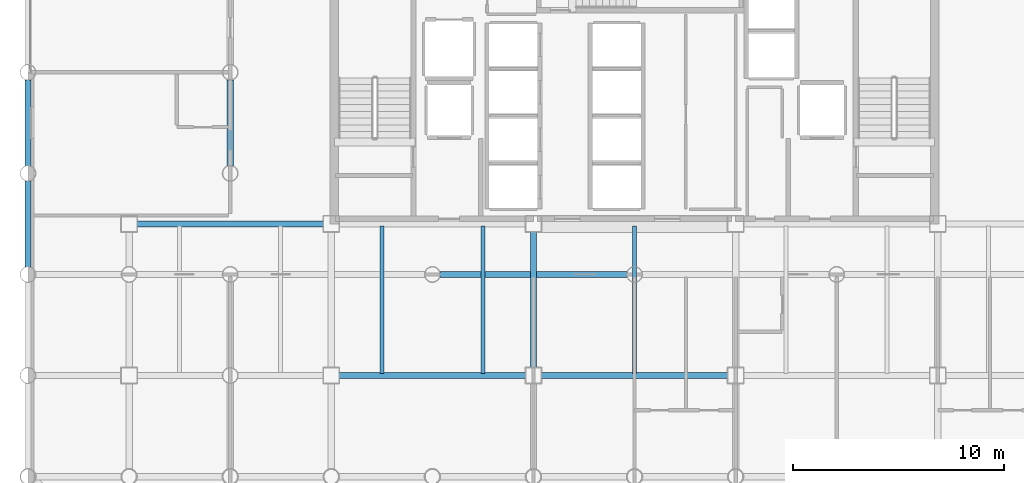
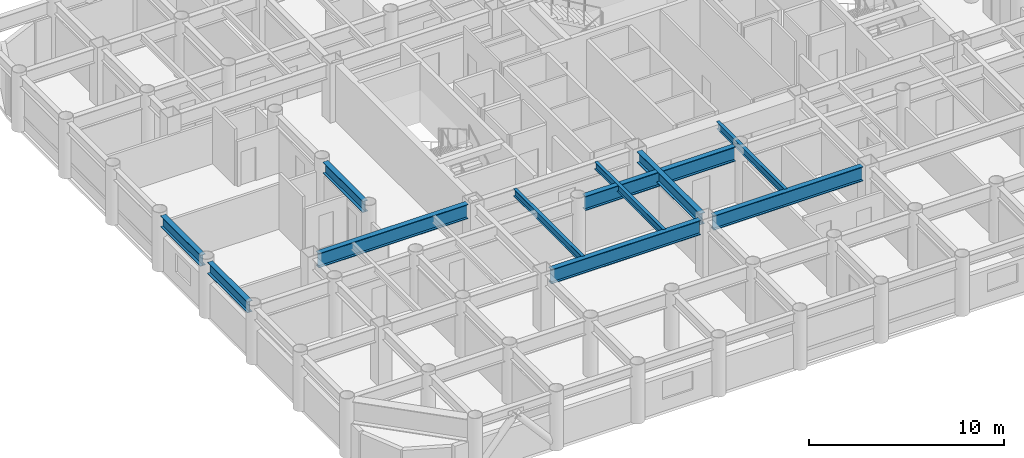
# One storey, part 3 of 20: 11 beams.
"""IFC4 building model written with IfcOpenShell, lengths in metres."""

from ifc_helpers import new_model, si_unit, direction, frame, origin, origin_2d, place, context, subcontext, project, spatial, i_section, extrude, material, material_profile, profile_set, type_object, element, save


model = new_model("IFC4")

# Units and contexts
model_context = context("Model", 3, precision=1e-05, world=origin(), true_north=direction((0.0, 1.0)))
body_context = subcontext(model_context, "Body", "Model", "MODEL_VIEW")
ifc_project = project(units=[si_unit("LENGTHUNIT", "METRE"), si_unit("AREAUNIT", "SQUARE_METRE"), si_unit("VOLUMEUNIT", "CUBIC_METRE"), si_unit("PLANEANGLEUNIT", "RADIAN"), si_unit("MASSUNIT", "GRAM", prefix="KILO")], contexts=[model_context])

# Site, building, storey
site_placement = place(None, origin())
site = spatial("IfcSite", under=ifc_project, at=site_placement, CompositionType="ELEMENT")
building_placement = place(site_placement, origin())
building = spatial("IfcBuilding", under=site, at=building_placement, Name="Kallvorn Hotel Tower", CompositionType="ELEMENT")
storey_placement = place(building_placement, frame((0.0, 0.0, 70.699951171875)))
storey = spatial("IfcBuildingStorey", under=building, at=storey_placement, Name="L16", CompositionType="ELEMENT", Elevation=70.699951171875)

# Beams
ifc_material_1 = material(Name="Structural steel S355JR", Category="steel")
ifc_material_profile_1 = material_profile(ifc_material_1, i_section(OverallWidth=0.300048828125, OverallDepth=0.699951171875, WebThickness=0.01708984375, FlangeThickness=0.031982421875, at=origin_2d()), Name="HE 700 B")
ifc_profile_set_1 = profile_set([ifc_material_profile_1], Name="Structural steel S355JR")
beam_type_1 = type_object("IfcBeamType", Name="BM_HE700B", PredefinedType="BEAM", material=ifc_profile_set_1)
beam_1_placement = place(storey_placement, frame((-28.800048828125, -9.243896484375, 3.170166015625), z_axis=(0.0, 1.0, 0.0), x_axis=(-1.0, 0.0, 0.0)))
element("IfcBeam", 1, at=beam_1_placement, inside=storey, type_object=beam_type_1, Name="L17 Primary Y-Girder 75", PredefinedType="BEAM", context=body_context, shape_type="SweptSolid", body=[
    extrude(i_section(OverallWidth=0.300048828125, OverallDepth=0.699951171875, WebThickness=0.01708984375, FlangeThickness=0.031982421875, at=origin_2d()), origin(), (0.0, 0.0, 1.0), 4.087890625),
])
for number, where, z_axis, x_axis, name in (
    (2, (-28.800048828125, -4.444091796875, 3.170166015625), (0.0, 1.0, 0.0), (-1.0, 0.0, 0.0), "L17 Primary Y-Girder 76"),
    (3, (-19.199951171875, -4.444091796875, 3.170166015625), (0.0, 1.0, 0.0), (-1.0, 0.0, 0.0), "L17 Primary Y-Girder 92"),
):
    element("IfcBeam", number, at=place(storey_placement, frame(where, z_axis=z_axis, x_axis=x_axis)), inside=storey, type_object=beam_type_1, Name=name, PredefinedType="BEAM", context=body_context, shape_type="SweptSolid", body=[
        extrude(i_section(OverallWidth=0.300048828125, OverallDepth=0.699951171875, WebThickness=0.01708984375, FlangeThickness=0.031982421875, at=origin_2d()), origin(), (0.0, 0.0, 1.0), 4.088134765625),
    ])
beam_2_placement = place(storey_placement, frame((-4.800048828125, -14.02490234375, 3.170166015625), z_axis=(0.0, 1.0, 0.0), x_axis=(-1.0, 0.0, 0.0)))
element("IfcBeam", 4, at=beam_2_placement, inside=storey, type_object=beam_type_1, Name="L17 Primary Y-Girder 107", PredefinedType="BEAM", context=body_context, shape_type="SweptSolid", body=[
    extrude(i_section(OverallWidth=0.300048828125, OverallDepth=0.699951171875, WebThickness=0.01708984375, FlangeThickness=0.031982421875, at=origin_2d()), origin(), (0.0, 0.0, 1.0), 6.449951171875),
])
ifc_material_2 = material(Name="Structural steel S355JR", Category="steel")
ifc_material_profile_2 = material_profile(ifc_material_2, i_section(OverallWidth=0.300048828125, OverallDepth=0.89990234375, WebThickness=0.0185546875, FlangeThickness=0.034912109375, at=origin_2d()), Name="HE 900 B")
ifc_profile_set_2 = profile_set([ifc_material_profile_2], Name="Structural steel S355JR")
beam_type_2 = type_object("IfcBeamType", Name="BM_HE900B", PredefinedType="BEAM", material=ifc_profile_set_2)
beam_3_placement = place(storey_placement, frame((-14.02490234375, -14.39990234375, 3.070068359375), z_axis=(1.0, 0.0, 0.0), x_axis=(0.0, 1.0, 0.0)))
element("IfcBeam", 5, at=beam_3_placement, inside=storey, type_object=beam_type_2, Name="L17 Primary X-Girder 17", PredefinedType="BEAM", context=body_context, shape_type="SweptSolid", body=[
    extrude(i_section(OverallWidth=0.300048828125, OverallDepth=0.89990234375, WebThickness=0.0185546875, FlangeThickness=0.034912109375, at=origin_2d()), origin(), (0.0, 0.0, 1.0), 8.849853515625),
])
beam_4_placement = place(storey_placement, frame((-4.425048828125, -14.39990234375, 3.070068359375), z_axis=(1.0, 0.0, 0.0), x_axis=(0.0, 1.0, 0.0)))
element("IfcBeam", 6, at=beam_4_placement, inside=storey, type_object=beam_type_2, Name="L17 Primary X-Girder 18", PredefinedType="BEAM", context=body_context, shape_type="SweptSolid", body=[
    extrude(i_section(OverallWidth=0.300048828125, OverallDepth=0.89990234375, WebThickness=0.0185546875, FlangeThickness=0.034912109375, at=origin_2d()), origin(), (0.0, 0.0, 1.0), 8.85009765625),
])
beam_5_placement = place(storey_placement, frame((-9.243896484375, -9.60009765625, 3.070068359375), z_axis=(1.0, 0.0, 0.0), x_axis=(0.0, 1.0, 0.0)))
element("IfcBeam", 7, at=beam_5_placement, inside=storey, type_object=beam_type_2, Name="L17 Primary X-Girder 27", PredefinedType="BEAM", context=body_context, shape_type="SweptSolid", body=[
    extrude(i_section(OverallWidth=0.300048828125, OverallDepth=0.89990234375, WebThickness=0.0185546875, FlangeThickness=0.034912109375, at=origin_2d()), origin(), (0.0, 0.0, 1.0), 8.887939453125),
])
beam_6_placement = place(storey_placement, frame((-23.625, -7.199951171875, 3.070068359375), z_axis=(1.0, 0.0, 0.0), x_axis=(0.0, 1.0, 0.0)))
element("IfcBeam", 8, at=beam_6_placement, inside=storey, type_object=beam_type_2, Name="L17 Primary X-Girder 33", PredefinedType="BEAM", context=body_context, shape_type="SweptSolid", body=[
    extrude(i_section(OverallWidth=0.300048828125, OverallDepth=0.89990234375, WebThickness=0.0185546875, FlangeThickness=0.034912109375, at=origin_2d()), origin(), (0.0, 0.0, 1.0), 8.85009765625),
])
ifc_material_3 = material(Name="Structural steel S355JR", Category="steel")
ifc_material_profile_3 = material_profile(ifc_material_3, i_section(OverallWidth=0.18994140625, OverallDepth=0.449951171875, WebThickness=0.009521484375, FlangeThickness=0.0146484375, at=origin_2d()), Name="IPE 450")
ifc_profile_set_3 = profile_set([ifc_material_profile_3], Name="Structural steel S355JR")
beam_type_3 = type_object("IfcBeamType", Name="BM_IPE450", PredefinedType="JOIST", material=ifc_profile_set_3)
for number, where, z_axis, x_axis, name in (
    (9, (-12.0, -14.300048828125, 3.295166015625), (0.0, 1.0, 0.0), (-1.0, 0.0, 0.0), "L17 Secondary Composite Joist 196"),
    (10, (-7.199951171875, -14.300048828125, 3.295166015625), (0.0, 1.0, 0.0), (-1.0, 0.0, 0.0), "L17 Secondary Composite Joist 198"),
    (11, (0.0, -14.300048828125, 3.295166015625), (0.0, 1.0, 0.0), (-1.0, 0.0, 0.0), "L17 Secondary Composite Joist 200"),
):
    element("IfcBeam", number, at=place(storey_placement, frame(where, z_axis=z_axis, x_axis=x_axis)), inside=storey, type_object=beam_type_3, Name=name, PredefinedType="JOIST", context=body_context, shape_type="SweptSolid", body=[
        extrude(i_section(OverallWidth=0.18994140625, OverallDepth=0.449951171875, WebThickness=0.009521484375, FlangeThickness=0.0146484375, at=origin_2d()), origin(), (0.0, 0.0, 1.0), 7.0),
    ])

save(model, "model.ifc")
